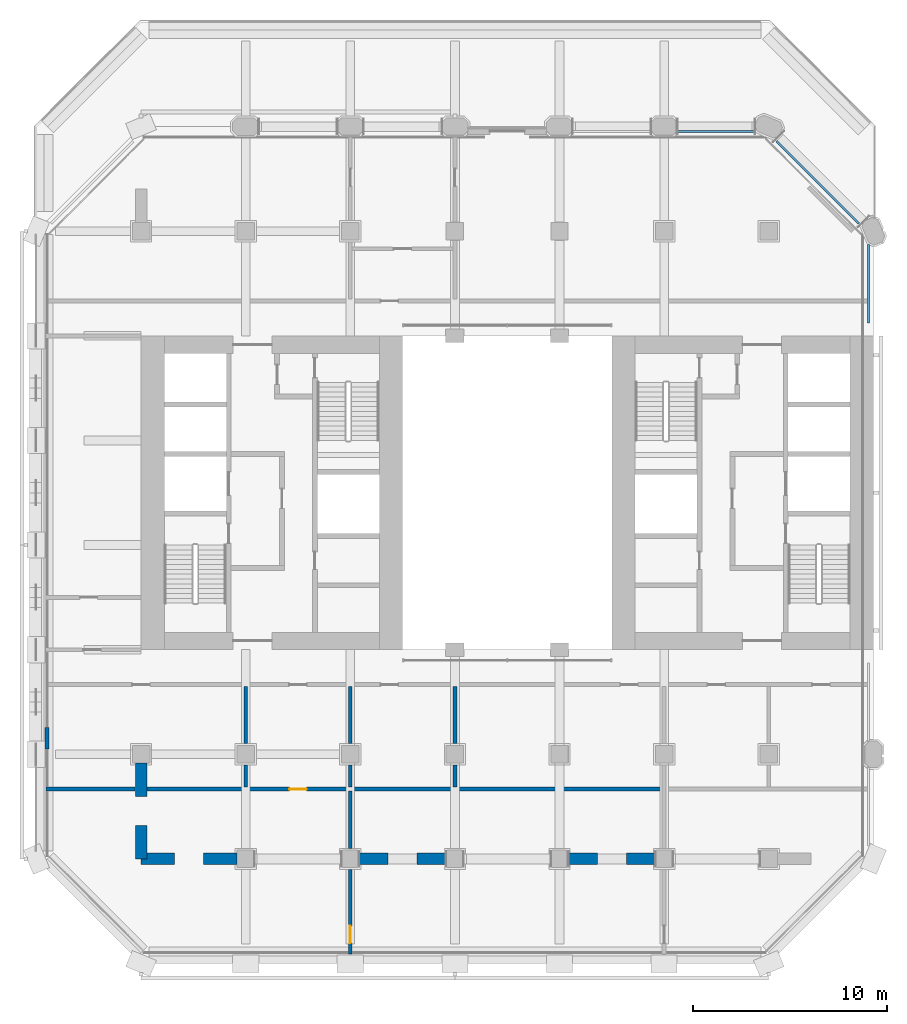
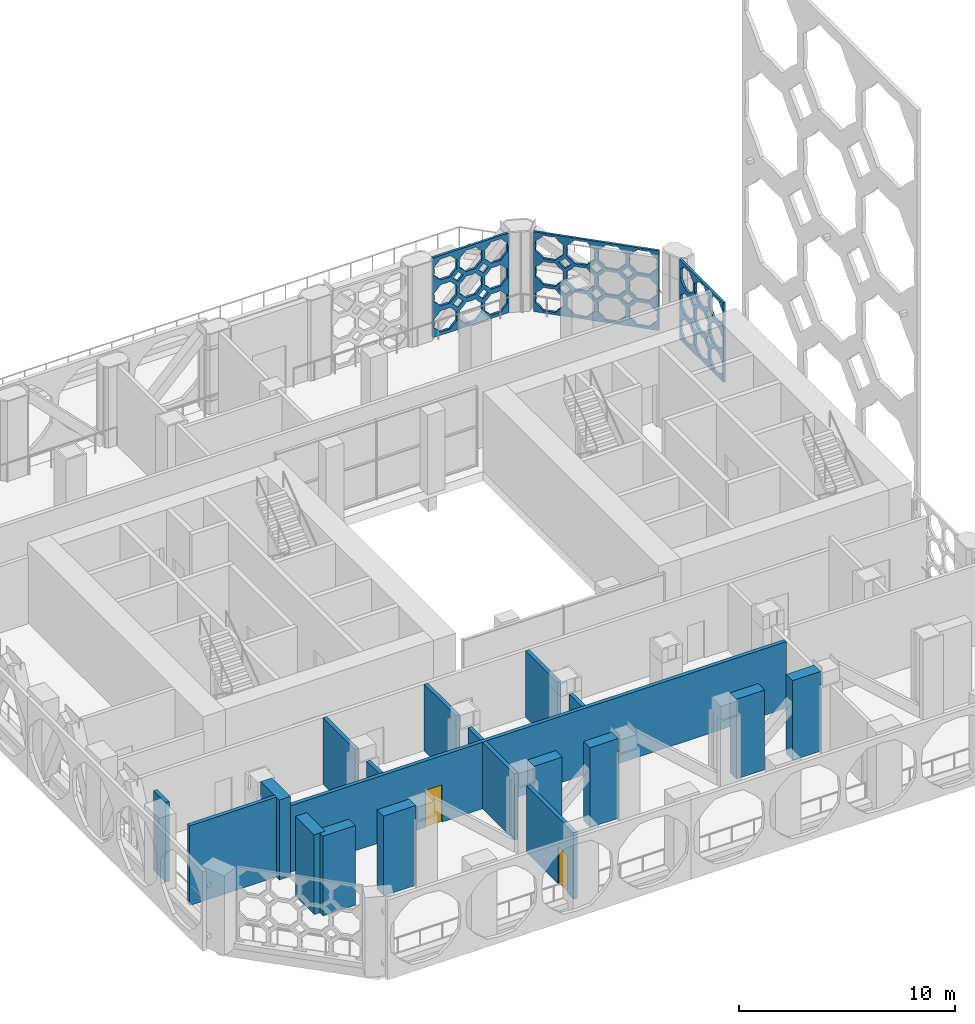
# One storey, part 8 of 17: 19 walls, 3 plates, 2 doors, 2 openings.
"""IFC4 building model written with IfcOpenShell, lengths in metres."""

from ifc_helpers import new_model, si_unit, direction, frame, frame_2d, origin, place, context, subcontext, project, spatial, polyline, rectangle, outline, extrude, material, layer, layer_set, type_object, element, fill, save


model = new_model("IFC4")

# Units and contexts
model_context = context("Model", 3, precision=1e-05, world=origin(), true_north=direction((0.0, 1.0)))
body_context = subcontext(model_context, "Body", "Model", "MODEL_VIEW")
ifc_project = project(units=[si_unit("LENGTHUNIT", "METRE"), si_unit("AREAUNIT", "SQUARE_METRE"), si_unit("VOLUMEUNIT", "CUBIC_METRE"), si_unit("PLANEANGLEUNIT", "RADIAN"), si_unit("MASSUNIT", "GRAM", prefix="KILO")], contexts=[model_context])

# Site, building, storey
site_placement = place(None, origin())
site = spatial("IfcSite", under=ifc_project, at=site_placement, CompositionType="ELEMENT")
building_placement = place(site_placement, origin())
building = spatial("IfcBuilding", under=site, at=building_placement, Name="Tabaq Tower and Sports Hall", CompositionType="ELEMENT")
storey_placement = place(building_placement, frame((0.0, 0.0, 125.800048828125)))
storey = spatial("IfcBuildingStorey", under=building, at=storey_placement, Name="L30", CompositionType="ELEMENT", Elevation=125.800048828125)

# Plates
ifc_material_1 = material(Name="White precast concrete C60/75 pierced screen", Category="concrete")
ifc_layer_1 = layer(ifc_material_1, 0.1201171875)
ifc_layer_set_1 = layer_set([ifc_layer_1], Name="White precast concrete C60/75 screen 120")
plate_type = type_object("IfcPlateType", Name="White precast concrete C60/75 screen 120", PredefinedType="USERDEFINED", material=ifc_layer_set_1)
plate_1_placement = place(storey_placement, frame((42.949951171875, 33.074951171875, 0.0), z_axis=(0.0, 0.0, 1.0), x_axis=(0.0, 1.0, 0.0)))
element("IfcPlate", 1, at=plate_1_placement, inside=storey, type_object=plate_type, Name="Pierced screen L30 E", ObjectType="SCREEN", PredefinedType="USERDEFINED", context=body_context, shape_type="SweptSolid", body=[
    extrude(outline(polyline([(0.0, 0.0), (4.050048828125, 0.0), (4.050048828125, 4.5), (0.0, 4.5), (0.0, 0.0)]), holes=[polyline([(1.28369140625, 1.035400390625), (1.09423828125, 1.20263671875), (0.927001953125, 1.391845703125), (0.675048828125, 1.376220703125), (0.4228515625, 1.391845703125), (0.255859375, 1.20263671875), (0.06640625, 1.035400390625), (0.08203125, 0.783203125), (0.06640625, 0.53125), (0.255859375, 0.364013671875), (0.4228515625, 0.174560546875), (0.675048828125, 0.1904296875), (0.927001953125, 0.174560546875), (1.09423828125, 0.364013671875), (1.28369140625, 0.53125), (1.267822265625, 0.783203125), (1.28369140625, 1.035400390625)]), polyline([(1.28369140625, 2.501953125), (1.09423828125, 2.669189453125), (0.927001953125, 2.858642578125), (0.675048828125, 2.8427734375), (0.4228515625, 2.858642578125), (0.255859375, 2.669189453125), (0.06640625, 2.501953125), (0.08203125, 2.25), (0.06640625, 1.997802734375), (0.255859375, 1.830810546875), (0.4228515625, 1.641357421875), (0.675048828125, 1.656982421875), (0.927001953125, 1.641357421875), (1.09423828125, 1.830810546875), (1.28369140625, 1.997802734375), (1.267822265625, 2.25), (1.28369140625, 2.501953125)]), polyline([(1.28369140625, 3.96875), (1.09423828125, 4.135986328125), (0.927001953125, 4.3251953125), (0.675048828125, 4.3095703125), (0.4228515625, 4.3251953125), (0.255859375, 4.135986328125), (0.06640625, 3.96875), (0.08203125, 3.716552734375), (0.06640625, 3.464599609375), (0.255859375, 3.29736328125), (0.4228515625, 3.10791015625), (0.675048828125, 3.123779296875), (0.927001953125, 3.10791015625), (1.09423828125, 3.29736328125), (1.28369140625, 3.464599609375), (1.267822265625, 3.716552734375), (1.28369140625, 3.96875)]), polyline([(2.633544921875, 1.035400390625), (2.4443359375, 1.20263671875), (2.277099609375, 1.391845703125), (2.02490234375, 1.376220703125), (1.77294921875, 1.391845703125), (1.605712890625, 1.20263671875), (1.416259765625, 1.035400390625), (1.43212890625, 0.783203125), (1.416259765625, 0.53125), (1.605712890625, 0.364013671875), (1.77294921875, 0.174560546875), (2.02490234375, 0.1904296875), (2.277099609375, 0.174560546875), (2.4443359375, 0.364013671875), (2.633544921875, 0.53125), (2.617919921875, 0.783203125), (2.633544921875, 1.035400390625)]), polyline([(2.633544921875, 2.501953125), (2.4443359375, 2.669189453125), (2.277099609375, 2.858642578125), (2.02490234375, 2.8427734375), (1.77294921875, 2.858642578125), (1.605712890625, 2.669189453125), (1.416259765625, 2.501953125), (1.43212890625, 2.25), (1.416259765625, 1.997802734375), (1.605712890625, 1.830810546875), (1.77294921875, 1.641357421875), (2.02490234375, 1.656982421875), (2.277099609375, 1.641357421875), (2.4443359375, 1.830810546875), (2.633544921875, 1.997802734375), (2.617919921875, 2.25), (2.633544921875, 2.501953125)]), polyline([(2.633544921875, 3.96875), (2.4443359375, 4.135986328125), (2.277099609375, 4.3251953125), (2.02490234375, 4.3095703125), (1.77294921875, 4.3251953125), (1.605712890625, 4.135986328125), (1.416259765625, 3.96875), (1.43212890625, 3.716552734375), (1.416259765625, 3.464599609375), (1.605712890625, 3.29736328125), (1.77294921875, 3.10791015625), (2.02490234375, 3.123779296875), (2.277099609375, 3.10791015625), (2.4443359375, 3.29736328125), (2.633544921875, 3.464599609375), (2.617919921875, 3.716552734375), (2.633544921875, 3.96875)]), polyline([(3.983642578125, 1.035400390625), (3.794189453125, 1.20263671875), (3.627197265625, 1.391845703125), (3.375, 1.376220703125), (3.122802734375, 1.391845703125), (2.955810546875, 1.20263671875), (2.766357421875, 1.035400390625), (2.781982421875, 0.783203125), (2.766357421875, 0.53125), (2.955810546875, 0.364013671875), (3.122802734375, 0.174560546875), (3.375, 0.1904296875), (3.627197265625, 0.174560546875), (3.794189453125, 0.364013671875), (3.983642578125, 0.53125), (3.968017578125, 0.783203125), (3.983642578125, 1.035400390625)]), polyline([(3.983642578125, 2.501953125), (3.794189453125, 2.669189453125), (3.627197265625, 2.858642578125), (3.375, 2.8427734375), (3.122802734375, 2.858642578125), (2.955810546875, 2.669189453125), (2.766357421875, 2.501953125), (2.781982421875, 2.25), (2.766357421875, 1.997802734375), (2.955810546875, 1.830810546875), (3.122802734375, 1.641357421875), (3.375, 1.656982421875), (3.627197265625, 1.641357421875), (3.794189453125, 1.830810546875), (3.983642578125, 1.997802734375), (3.968017578125, 2.25), (3.983642578125, 2.501953125)]), polyline([(3.983642578125, 3.96875), (3.794189453125, 4.135986328125), (3.627197265625, 4.3251953125), (3.375, 4.3095703125), (3.122802734375, 4.3251953125), (2.955810546875, 4.135986328125), (2.766357421875, 3.96875), (2.781982421875, 3.716552734375), (2.766357421875, 3.464599609375), (2.955810546875, 3.29736328125), (3.122802734375, 3.10791015625), (3.375, 3.123779296875), (3.627197265625, 3.10791015625), (3.794189453125, 3.29736328125), (3.983642578125, 3.464599609375), (3.968017578125, 3.716552734375), (3.983642578125, 3.96875)]), polyline([(1.6201171875, 1.5166015625), (1.35009765625, 1.78662109375), (1.080078125, 1.5166015625), (1.35009765625, 1.24658203125), (1.6201171875, 1.5166015625)]), polyline([(1.6201171875, 2.9833984375), (1.35009765625, 3.253173828125), (1.080078125, 2.9833984375), (1.35009765625, 2.71337890625), (1.6201171875, 2.9833984375)]), polyline([(2.969970703125, 1.5166015625), (2.699951171875, 1.78662109375), (2.429931640625, 1.5166015625), (2.699951171875, 1.24658203125), (2.969970703125, 1.5166015625)]), polyline([(2.969970703125, 2.9833984375), (2.699951171875, 3.253173828125), (2.429931640625, 2.9833984375), (2.699951171875, 2.71337890625), (2.969970703125, 2.9833984375)])]), frame((0.0, 0.06005859375, 0.0), z_axis=(0.0, -1.0, 0.0), x_axis=(1.0, 0.0, 0.0)), (0.0, 0.0, 1.0), 0.1201171875),
])
plate_2_placement = place(storey_placement, frame((42.43994140625, 38.20654296875, 0.0), z_axis=(0.0, 0.0, 1.0), x_axis=(-0.707106781187, 0.707106781187, 0.0)))
element("IfcPlate", 2, at=plate_2_placement, inside=storey, type_object=plate_type, Name="Pierced screen L30 NE", ObjectType="SCREEN", PredefinedType="USERDEFINED", context=body_context, shape_type="SweptSolid", body=[
    extrude(outline(polyline([(0.0, 0.0), (5.98681640625, 0.0), (5.98681640625, 4.5), (0.0, 4.5), (0.0, 0.0)]), holes=[polyline([(1.40966796875, 1.05712890625), (1.203857421875, 1.23876953125), (1.022216796875, 1.444580078125), (0.748291015625, 1.427490234375), (0.474365234375, 1.444580078125), (0.29296875, 1.23876953125), (0.087158203125, 1.05712890625), (0.104248046875, 0.783203125), (0.087158203125, 0.50927734375), (0.29296875, 0.327880859375), (0.474365234375, 0.1220703125), (0.748291015625, 0.13916015625), (1.022216796875, 0.1220703125), (1.203857421875, 0.327880859375), (1.40966796875, 0.50927734375), (1.392578125, 0.783203125), (1.40966796875, 1.05712890625)]), polyline([(1.40966796875, 2.52392578125), (1.203857421875, 2.705322265625), (1.022216796875, 2.9111328125), (0.748291015625, 2.89404296875), (0.474365234375, 2.9111328125), (0.29296875, 2.705322265625), (0.087158203125, 2.52392578125), (0.104248046875, 2.25), (0.087158203125, 1.97607421875), (0.29296875, 1.79443359375), (0.474365234375, 1.588623046875), (0.748291015625, 1.605712890625), (1.022216796875, 1.588623046875), (1.203857421875, 1.79443359375), (1.40966796875, 1.97607421875), (1.392578125, 2.25), (1.40966796875, 2.52392578125)]), polyline([(1.40966796875, 3.990478515625), (1.203857421875, 4.172119140625), (1.022216796875, 4.3779296875), (0.748291015625, 4.36083984375), (0.474365234375, 4.3779296875), (0.29296875, 4.172119140625), (0.087158203125, 3.990478515625), (0.104248046875, 3.716552734375), (0.087158203125, 3.442626953125), (0.29296875, 3.26123046875), (0.474365234375, 3.055419921875), (0.748291015625, 3.072509765625), (1.022216796875, 3.055419921875), (1.203857421875, 3.26123046875), (1.40966796875, 3.442626953125), (1.392578125, 3.716552734375), (1.40966796875, 3.990478515625)]), polyline([(2.90625, 1.05712890625), (2.700439453125, 1.23876953125), (2.51904296875, 1.444580078125), (2.2451171875, 1.427490234375), (1.97119140625, 1.444580078125), (1.78955078125, 1.23876953125), (1.583740234375, 1.05712890625), (1.600830078125, 0.783203125), (1.583740234375, 0.50927734375), (1.78955078125, 0.327880859375), (1.97119140625, 0.1220703125), (2.2451171875, 0.13916015625), (2.51904296875, 0.1220703125), (2.700439453125, 0.327880859375), (2.90625, 0.50927734375), (2.88916015625, 0.783203125), (2.90625, 1.05712890625)]), polyline([(2.90625, 2.52392578125), (2.700439453125, 2.705322265625), (2.51904296875, 2.9111328125), (2.2451171875, 2.89404296875), (1.97119140625, 2.9111328125), (1.78955078125, 2.705322265625), (1.583740234375, 2.52392578125), (1.600830078125, 2.25), (1.583740234375, 1.97607421875), (1.78955078125, 1.79443359375), (1.97119140625, 1.588623046875), (2.2451171875, 1.605712890625), (2.51904296875, 1.588623046875), (2.700439453125, 1.79443359375), (2.90625, 1.97607421875), (2.88916015625, 2.25), (2.90625, 2.52392578125)]), polyline([(2.90625, 3.990478515625), (2.700439453125, 4.172119140625), (2.51904296875, 4.3779296875), (2.2451171875, 4.36083984375), (1.97119140625, 4.3779296875), (1.78955078125, 4.172119140625), (1.583740234375, 3.990478515625), (1.600830078125, 3.716552734375), (1.583740234375, 3.442626953125), (1.78955078125, 3.26123046875), (1.97119140625, 3.055419921875), (2.2451171875, 3.072509765625), (2.51904296875, 3.055419921875), (2.700439453125, 3.26123046875), (2.90625, 3.442626953125), (2.88916015625, 3.716552734375), (2.90625, 3.990478515625)]), polyline([(4.403076171875, 1.05712890625), (4.197265625, 1.23876953125), (4.015625, 1.444580078125), (3.74169921875, 1.427490234375), (3.4677734375, 1.444580078125), (3.2861328125, 1.23876953125), (3.08056640625, 1.05712890625), (3.09765625, 0.783203125), (3.08056640625, 0.50927734375), (3.2861328125, 0.327880859375), (3.4677734375, 0.1220703125), (3.74169921875, 0.13916015625), (4.015625, 0.1220703125), (4.197265625, 0.327880859375), (4.403076171875, 0.50927734375), (4.385986328125, 0.783203125), (4.403076171875, 1.05712890625)]), polyline([(4.403076171875, 2.52392578125), (4.197265625, 2.705322265625), (4.015625, 2.9111328125), (3.74169921875, 2.89404296875), (3.4677734375, 2.9111328125), (3.2861328125, 2.705322265625), (3.08056640625, 2.52392578125), (3.09765625, 2.25), (3.08056640625, 1.97607421875), (3.2861328125, 1.79443359375), (3.4677734375, 1.588623046875), (3.74169921875, 1.605712890625), (4.015625, 1.588623046875), (4.197265625, 1.79443359375), (4.403076171875, 1.97607421875), (4.385986328125, 2.25), (4.403076171875, 2.52392578125)]), polyline([(4.403076171875, 3.990478515625), (4.197265625, 4.172119140625), (4.015625, 4.3779296875), (3.74169921875, 4.36083984375), (3.4677734375, 4.3779296875), (3.2861328125, 4.172119140625), (3.08056640625, 3.990478515625), (3.09765625, 3.716552734375), (3.08056640625, 3.442626953125), (3.2861328125, 3.26123046875), (3.4677734375, 3.055419921875), (3.74169921875, 3.072509765625), (4.015625, 3.055419921875), (4.197265625, 3.26123046875), (4.403076171875, 3.442626953125), (4.385986328125, 3.716552734375), (4.403076171875, 3.990478515625)]), polyline([(5.899658203125, 1.05712890625), (5.69384765625, 1.23876953125), (5.51220703125, 1.444580078125), (5.238525390625, 1.427490234375), (4.964599609375, 1.444580078125), (4.782958984375, 1.23876953125), (4.5771484375, 1.05712890625), (4.59423828125, 0.783203125), (4.5771484375, 0.50927734375), (4.782958984375, 0.327880859375), (4.964599609375, 0.1220703125), (5.238525390625, 0.13916015625), (5.51220703125, 0.1220703125), (5.69384765625, 0.327880859375), (5.899658203125, 0.50927734375), (5.882568359375, 0.783203125), (5.899658203125, 1.05712890625)]), polyline([(5.899658203125, 2.52392578125), (5.69384765625, 2.705322265625), (5.51220703125, 2.9111328125), (5.238525390625, 2.89404296875), (4.964599609375, 2.9111328125), (4.782958984375, 2.705322265625), (4.5771484375, 2.52392578125), (4.59423828125, 2.25), (4.5771484375, 1.97607421875), (4.782958984375, 1.79443359375), (4.964599609375, 1.588623046875), (5.238525390625, 1.605712890625), (5.51220703125, 1.588623046875), (5.69384765625, 1.79443359375), (5.899658203125, 1.97607421875), (5.882568359375, 2.25), (5.899658203125, 2.52392578125)]), polyline([(5.899658203125, 3.990478515625), (5.69384765625, 4.172119140625), (5.51220703125, 4.3779296875), (5.238525390625, 4.36083984375), (4.964599609375, 4.3779296875), (4.782958984375, 4.172119140625), (4.5771484375, 3.990478515625), (4.59423828125, 3.716552734375), (4.5771484375, 3.442626953125), (4.782958984375, 3.26123046875), (4.964599609375, 3.055419921875), (5.238525390625, 3.072509765625), (5.51220703125, 3.055419921875), (5.69384765625, 3.26123046875), (5.899658203125, 3.442626953125), (5.882568359375, 3.716552734375), (5.899658203125, 3.990478515625)]), polyline([(1.7900390625, 1.5166015625), (1.49658203125, 1.81005859375), (1.203369140625, 1.5166015625), (1.49658203125, 1.223388671875), (1.7900390625, 1.5166015625)]), polyline([(1.7900390625, 2.9833984375), (1.49658203125, 3.276611328125), (1.203369140625, 2.9833984375), (1.49658203125, 2.68994140625), (1.7900390625, 2.9833984375)]), polyline([(3.28662109375, 1.5166015625), (2.993408203125, 1.81005859375), (2.699951171875, 1.5166015625), (2.993408203125, 1.223388671875), (3.28662109375, 1.5166015625)]), polyline([(3.28662109375, 2.9833984375), (2.993408203125, 3.276611328125), (2.699951171875, 2.9833984375), (2.993408203125, 2.68994140625), (3.28662109375, 2.9833984375)]), polyline([(4.783447265625, 1.5166015625), (4.489990234375, 1.81005859375), (4.19677734375, 1.5166015625), (4.489990234375, 1.223388671875), (4.783447265625, 1.5166015625)]), polyline([(4.783447265625, 2.9833984375), (4.489990234375, 3.276611328125), (4.19677734375, 2.9833984375), (4.489990234375, 2.68994140625), (4.783447265625, 2.9833984375)])]), frame((0.0, 0.06005859375, 0.0), z_axis=(0.0, -1.0, 0.0), x_axis=(1.0, 0.0, 0.0)), (0.0, 0.0, 1.0), 0.1201171875),
])
plate_3_placement = place(storey_placement, frame((37.125, 42.949951171875, 0.0), z_axis=(0.0, 0.0, 1.0), x_axis=(-1.0, 0.0, 0.0)))
element("IfcPlate", 3, at=plate_3_placement, inside=storey, type_object=plate_type, Name="Pierced screen L30 N", ObjectType="SCREEN", PredefinedType="USERDEFINED", context=body_context, shape_type="SweptSolid", body=[
    extrude(outline(polyline([(0.0, 0.0), (4.050048828125, 0.0), (4.050048828125, 4.5), (0.0, 4.5), (0.0, 0.0)]), holes=[polyline([(1.28369140625, 1.035400390625), (1.09423828125, 1.20263671875), (0.927001953125, 1.391845703125), (0.675048828125, 1.376220703125), (0.4228515625, 1.391845703125), (0.255859375, 1.20263671875), (0.06640625, 1.035400390625), (0.08203125, 0.783203125), (0.06640625, 0.53125), (0.255859375, 0.364013671875), (0.4228515625, 0.174560546875), (0.675048828125, 0.1904296875), (0.927001953125, 0.174560546875), (1.09423828125, 0.364013671875), (1.28369140625, 0.53125), (1.267822265625, 0.783203125), (1.28369140625, 1.035400390625)]), polyline([(1.28369140625, 2.501953125), (1.09423828125, 2.669189453125), (0.927001953125, 2.858642578125), (0.675048828125, 2.8427734375), (0.4228515625, 2.858642578125), (0.255859375, 2.669189453125), (0.06640625, 2.501953125), (0.08203125, 2.25), (0.06640625, 1.997802734375), (0.255859375, 1.830810546875), (0.4228515625, 1.641357421875), (0.675048828125, 1.656982421875), (0.927001953125, 1.641357421875), (1.09423828125, 1.830810546875), (1.28369140625, 1.997802734375), (1.267822265625, 2.25), (1.28369140625, 2.501953125)]), polyline([(1.28369140625, 3.96875), (1.09423828125, 4.135986328125), (0.927001953125, 4.3251953125), (0.675048828125, 4.3095703125), (0.4228515625, 4.3251953125), (0.255859375, 4.135986328125), (0.06640625, 3.96875), (0.08203125, 3.716552734375), (0.06640625, 3.464599609375), (0.255859375, 3.29736328125), (0.4228515625, 3.10791015625), (0.675048828125, 3.123779296875), (0.927001953125, 3.10791015625), (1.09423828125, 3.29736328125), (1.28369140625, 3.464599609375), (1.267822265625, 3.716552734375), (1.28369140625, 3.96875)]), polyline([(2.633544921875, 1.035400390625), (2.4443359375, 1.20263671875), (2.277099609375, 1.391845703125), (2.02490234375, 1.376220703125), (1.77294921875, 1.391845703125), (1.605712890625, 1.20263671875), (1.416259765625, 1.035400390625), (1.43212890625, 0.783203125), (1.416259765625, 0.53125), (1.605712890625, 0.364013671875), (1.77294921875, 0.174560546875), (2.02490234375, 0.1904296875), (2.277099609375, 0.174560546875), (2.4443359375, 0.364013671875), (2.633544921875, 0.53125), (2.617919921875, 0.783203125), (2.633544921875, 1.035400390625)]), polyline([(2.633544921875, 2.501953125), (2.4443359375, 2.669189453125), (2.277099609375, 2.858642578125), (2.02490234375, 2.8427734375), (1.77294921875, 2.858642578125), (1.605712890625, 2.669189453125), (1.416259765625, 2.501953125), (1.43212890625, 2.25), (1.416259765625, 1.997802734375), (1.605712890625, 1.830810546875), (1.77294921875, 1.641357421875), (2.02490234375, 1.656982421875), (2.277099609375, 1.641357421875), (2.4443359375, 1.830810546875), (2.633544921875, 1.997802734375), (2.617919921875, 2.25), (2.633544921875, 2.501953125)]), polyline([(2.633544921875, 3.96875), (2.4443359375, 4.135986328125), (2.277099609375, 4.3251953125), (2.02490234375, 4.3095703125), (1.77294921875, 4.3251953125), (1.605712890625, 4.135986328125), (1.416259765625, 3.96875), (1.43212890625, 3.716552734375), (1.416259765625, 3.464599609375), (1.605712890625, 3.29736328125), (1.77294921875, 3.10791015625), (2.02490234375, 3.123779296875), (2.277099609375, 3.10791015625), (2.4443359375, 3.29736328125), (2.633544921875, 3.464599609375), (2.617919921875, 3.716552734375), (2.633544921875, 3.96875)]), polyline([(3.983642578125, 1.035400390625), (3.794189453125, 1.20263671875), (3.627197265625, 1.391845703125), (3.375, 1.376220703125), (3.122802734375, 1.391845703125), (2.955810546875, 1.20263671875), (2.766357421875, 1.035400390625), (2.781982421875, 0.783203125), (2.766357421875, 0.53125), (2.955810546875, 0.364013671875), (3.122802734375, 0.174560546875), (3.375, 0.1904296875), (3.627197265625, 0.174560546875), (3.794189453125, 0.364013671875), (3.983642578125, 0.53125), (3.968017578125, 0.783203125), (3.983642578125, 1.035400390625)]), polyline([(3.983642578125, 2.501953125), (3.794189453125, 2.669189453125), (3.627197265625, 2.858642578125), (3.375, 2.8427734375), (3.122802734375, 2.858642578125), (2.955810546875, 2.669189453125), (2.766357421875, 2.501953125), (2.781982421875, 2.25), (2.766357421875, 1.997802734375), (2.955810546875, 1.830810546875), (3.122802734375, 1.641357421875), (3.375, 1.656982421875), (3.627197265625, 1.641357421875), (3.794189453125, 1.830810546875), (3.983642578125, 1.997802734375), (3.968017578125, 2.25), (3.983642578125, 2.501953125)]), polyline([(3.983642578125, 3.96875), (3.794189453125, 4.135986328125), (3.627197265625, 4.3251953125), (3.375, 4.3095703125), (3.122802734375, 4.3251953125), (2.955810546875, 4.135986328125), (2.766357421875, 3.96875), (2.781982421875, 3.716552734375), (2.766357421875, 3.464599609375), (2.955810546875, 3.29736328125), (3.122802734375, 3.10791015625), (3.375, 3.123779296875), (3.627197265625, 3.10791015625), (3.794189453125, 3.29736328125), (3.983642578125, 3.464599609375), (3.968017578125, 3.716552734375), (3.983642578125, 3.96875)]), polyline([(1.6201171875, 1.5166015625), (1.35009765625, 1.78662109375), (1.080078125, 1.5166015625), (1.35009765625, 1.24658203125), (1.6201171875, 1.5166015625)]), polyline([(1.6201171875, 2.9833984375), (1.35009765625, 3.253173828125), (1.080078125, 2.9833984375), (1.35009765625, 2.71337890625), (1.6201171875, 2.9833984375)]), polyline([(2.969970703125, 1.5166015625), (2.699951171875, 1.78662109375), (2.429931640625, 1.5166015625), (2.699951171875, 1.24658203125), (2.969970703125, 1.5166015625)]), polyline([(2.969970703125, 2.9833984375), (2.699951171875, 3.253173828125), (2.429931640625, 2.9833984375), (2.699951171875, 2.71337890625), (2.969970703125, 2.9833984375)])]), frame((0.0, 0.06005859375, 0.0), z_axis=(0.0, -1.0, 0.0), x_axis=(1.0, 0.0, 0.0)), (0.0, 0.0, 1.0), 0.1201171875),
])

# Wall, opening, door
ifc_material_2 = material(Name="Blockwork", Category="masonry")
ifc_layer_2 = layer(ifc_material_2, 0.199951171875)
ifc_layer_set_2 = layer_set([ifc_layer_2], Name="Fire compartment wall 200 Blockwork")
wall_type_1 = type_object("IfcWallType", Name="Fire compartment wall 200 Blockwork", PredefinedType="PARTITIONING", material=ifc_layer_set_2)
wall_1_placement = place(storey_placement, frame((32.300048828125, 9.0, 0.0), z_axis=(0.0, 0.0, 1.0), x_axis=(-1.0, 0.0, 0.0)))
wall_1 = element("IfcWall", 4, at=wall_1_placement, inside=storey, type_object=wall_type_1, Name="Compartment wall L30", PredefinedType="PARTITIONING", context=body_context, shape_type="SweptSolid", body=[
    extrude(rectangle(XDim=26.59912109375, YDim=0.199951171875, at=frame_2d((13.299560546875, 0.0))), origin(), (0.0, 0.0, 1.0), 3.75),
])
opening_1_placement = place(wall_1_placement, frame((18.35009765625, 0.0, 0.0)))
opening_1 = element("IfcOpeningElement", 5, at=opening_1_placement, cuts=wall_1, Name="Opening L30-015", PredefinedType="OPENING", context=body_context, shape_type="SweptSolid", body=[
    extrude(rectangle(XDim=0.89990234375, YDim=2.10009765625, at=frame_2d((0.449951171875, 1.050048828125))), frame((0.0, 0.10009765625, 0.0), z_axis=(0.0, -1.0, 0.0), x_axis=(1.0, 0.0, 0.0)), (0.0, 0.0, 1.0), 0.199951171875),
])
ifc_material_3 = material(Name="Steel fire door", Category="steel")
door_type_1 = type_object("IfcDoorType", Name="Refuge holding area door 900 right hand", OperationType="SINGLE_SWING_RIGHT", PredefinedType="DOOR", material=ifc_material_3)
door_1_placement = place(opening_1_placement, origin())
door_1 = element("IfcDoor", 6, at=door_1_placement, inside=storey, type_object=door_type_1, Name="Refuge holding area door L30-015", OperationType="SINGLE_SWING_RIGHT", OverallHeight=2.10009765625, OverallWidth=0.89990234375, PredefinedType="DOOR", context=body_context, shape_type="SweptSolid", body=[
    extrude(rectangle(XDim=0.89990234375, YDim=2.10009765625, at=frame_2d((0.449951171875, 1.050048828125))), frame((0.0, 0.02490234375, 0.0), z_axis=(0.0, -1.0, 0.0), x_axis=(1.0, 0.0, 0.0)), (0.0, 0.0, 1.0), 0.050048828125),
])
fill(opening_1, door_1)

# Wall
wall_2_placement = place(storey_placement, frame((5.09912109375, 9.0, 0.0), z_axis=(0.0, 0.0, 1.0), x_axis=(-1.0, 0.0, 0.0)))
element("IfcWall", 7, at=wall_2_placement, inside=storey, type_object=wall_type_1, Name="Compartment wall L30", PredefinedType="PARTITIONING", context=body_context, shape_type="SweptSolid", body=[
    extrude(rectangle(XDim=4.619140625, YDim=0.199951171875, at=frame_2d((2.3095703125, 0.0))), origin(), (0.0, 0.0, 1.0), 4.5),
])

# Wall, opening, door
wall_3_placement = place(storey_placement, frame((16.199951171875, 0.47998046875, 0.0), z_axis=(0.0, 0.0, 1.0), x_axis=(0.0, 1.0, 0.0)))
wall_3 = element("IfcWall", 8, at=wall_3_placement, inside=storey, type_object=wall_type_1, Name="Compartment wall L30", PredefinedType="PARTITIONING", context=body_context, shape_type="SweptSolid", body=[
    extrude(rectangle(XDim=4.369384765625, YDim=0.199951171875, at=frame_2d((2.1845703125, 0.0))), origin(), (0.0, 0.0, 1.0), 3.75),
])
opening_2_placement = place(wall_3_placement, frame((0.570068359375, 0.0, 0.0)))
opening_2 = element("IfcOpeningElement", 9, at=opening_2_placement, cuts=wall_3, Name="Opening L30-014", PredefinedType="OPENING", context=body_context, shape_type="SweptSolid", body=[
    extrude(rectangle(XDim=0.89990234375, YDim=2.10009765625, at=frame_2d((0.449951171875, 1.050048828125))), frame((0.0, 0.10009765625, 0.0), z_axis=(0.0, -1.0, 0.0), x_axis=(1.0, 0.0, 0.0)), (0.0, 0.0, 1.0), 0.199951171875),
])
ifc_material_4 = material(Name="Steel fire door", Category="steel")
door_type_2 = type_object("IfcDoorType", Name="Refuge holding area door 900 left hand", OperationType="SINGLE_SWING_LEFT", PredefinedType="DOOR", material=ifc_material_4)
door_2_placement = place(opening_2_placement, origin())
door_2 = element("IfcDoor", 10, at=door_2_placement, inside=storey, type_object=door_type_2, Name="Refuge holding area door L30-014", OperationType="SINGLE_SWING_LEFT", OverallHeight=2.10009765625, OverallWidth=0.89990234375, PredefinedType="DOOR", context=body_context, shape_type="SweptSolid", body=[
    extrude(rectangle(XDim=0.89990234375, YDim=2.10009765625, at=frame_2d((0.449951171875, 1.050048828125))), frame((0.0, 0.02490234375, 0.0), z_axis=(0.0, -1.0, 0.0), x_axis=(1.0, 0.0, 0.0)), (0.0, 0.0, 1.0), 0.050048828125),
])
fill(opening_2, door_2)

# Walls
wall_4_placement = place(storey_placement, frame((16.199951171875, 5.95068359375, 0.0), z_axis=(0.0, 0.0, 1.0), x_axis=(0.0, 1.0, 0.0)))
element("IfcWall", 11, at=wall_4_placement, inside=storey, type_object=wall_type_1, Name="Compartment wall L30", PredefinedType="PARTITIONING", context=body_context, shape_type="SweptSolid", body=[
    extrude(rectangle(XDim=2.94921875, YDim=0.199951171875, at=frame_2d((1.474609375, 0.0))), origin(), (0.0, 0.0, 1.0), 3.75),
])
wall_5_placement = place(storey_placement, frame((10.800048828125, 14.300048828125, 0.0), z_axis=(0.0, 0.0, 1.0), x_axis=(0.0, -1.0, 0.0)))
element("IfcWall", 12, at=wall_5_placement, inside=storey, type_object=wall_type_1, Name="Compartment wall L30", PredefinedType="PARTITIONING", context=body_context, shape_type="SweptSolid", body=[
    extrude(rectangle(XDim=2.949462890625, YDim=0.199951171875, at=frame_2d((1.474609375, 0.0))), origin(), (0.0, 0.0, 1.0), 3.75),
])
wall_6_placement = place(storey_placement, frame((10.800048828125, 10.249267578125, 0.0), z_axis=(0.0, 0.0, 1.0), x_axis=(0.0, -1.0, 0.0)))
element("IfcWall", 13, at=wall_6_placement, inside=storey, type_object=wall_type_1, Name="Compartment wall L30", PredefinedType="PARTITIONING", context=body_context, shape_type="SweptSolid", body=[
    extrude(rectangle(XDim=1.149169921875, YDim=0.199951171875, at=frame_2d((0.57470703125, 0.0))), origin(), (0.0, 0.0, 1.0), 3.75),
])
wall_7_placement = place(storey_placement, frame((0.550048828125, 11.082763671875, 0.0), z_axis=(0.0, 0.0, 1.0), x_axis=(0.0, 1.0, 0.0)))
element("IfcWall", 14, at=wall_7_placement, inside=storey, type_object=wall_type_1, Name="Compartment wall L30", PredefinedType="PARTITIONING", context=body_context, shape_type="SweptSolid", body=[
    extrude(rectangle(XDim=1.114013671875, YDim=0.199951171875, at=frame_2d((0.55712890625, 0.0))), origin(), (0.0, 0.0, 1.0), 4.5),
])
wall_8_placement = place(storey_placement, frame((21.60009765625, 9.10009765625, 0.0), z_axis=(0.0, 0.0, 1.0), x_axis=(0.0, 1.0, 0.0)))
element("IfcWall", 15, at=wall_8_placement, inside=storey, type_object=wall_type_1, Name="Compartment wall L30", PredefinedType="PARTITIONING", context=body_context, shape_type="SweptSolid", body=[
    extrude(rectangle(XDim=1.149169921875, YDim=0.199951171875, at=frame_2d((0.57470703125, 0.0))), origin(), (0.0, 0.0, 1.0), 3.75),
])
for number, where, z_axis, x_axis, name in (
    (16, (21.60009765625, 11.3505859375, 0.0), (0.0, 0.0, 1.0), (0.0, 1.0, 0.0), "Compartment wall L30"),
    (17, (16.199951171875, 14.300048828125, 0.0), (0.0, 0.0, 1.0), (0.0, -1.0, 0.0), "Compartment wall L30"),
):
    element("IfcWall", number, at=place(storey_placement, frame(where, z_axis=z_axis, x_axis=x_axis)), inside=storey, type_object=wall_type_1, Name=name, PredefinedType="PARTITIONING", context=body_context, shape_type="SweptSolid", body=[
        extrude(rectangle(XDim=2.949462890625, YDim=0.199951171875, at=frame_2d((1.474609375, 0.0))), origin(), (0.0, 0.0, 1.0), 3.75),
    ])
wall_9_placement = place(storey_placement, frame((16.199951171875, 10.249267578125, 0.0), z_axis=(0.0, 0.0, 1.0), x_axis=(0.0, -1.0, 0.0)))
element("IfcWall", 18, at=wall_9_placement, inside=storey, type_object=wall_type_1, Name="Compartment wall L30", PredefinedType="PARTITIONING", context=body_context, shape_type="SweptSolid", body=[
    extrude(rectangle(XDim=1.149169921875, YDim=0.199951171875, at=frame_2d((0.57470703125, 0.0))), origin(), (0.0, 0.0, 1.0), 3.75),
])
ifc_material_5 = material(Name="Concrete C50/60", Category="concrete")
ifc_layer_3 = layer(ifc_material_5, 0.60009765625)
ifc_layer_set_3 = layer_set([ifc_layer_3], Name="RC TRANSFER WALL 600 C50/60")
wall_type_2 = type_object("IfcWallType", Name="RC TRANSFER WALL 600 C50/60", PredefinedType="SHEAR", material=ifc_layer_set_3)
for number, where, z_axis, x_axis, name in (
    (19, (5.39990234375, 5.39990234375, 0.0), (0.0, 0.0, 1.0), (0.0, 1.0, 0.0), "Transfer Wall L30 West 1"),
    (20, (5.39990234375, 8.625, 0.0), (0.0, 0.0, 1.0), (0.0, 1.0, 0.0), "Transfer Wall L30 West 2"),
    (21, (5.39990234375, 5.39990234375, 0.0), (0.0, 0.0, 1.0), (1.0, 0.0, 0.0), "Transfer Wall L30 South 5"),
    (22, (8.625, 5.39990234375, 0.0), (0.0, 0.0, 1.0), (1.0, 0.0, 0.0), "Transfer Wall L30 South 6"),
):
    element("IfcWall", number, at=place(storey_placement, frame(where, z_axis=z_axis, x_axis=x_axis)), inside=storey, type_object=wall_type_2, Name=name, PredefinedType="SHEAR", context=body_context, shape_type="SweptSolid", body=[
        extrude(rectangle(XDim=1.72509765625, YDim=0.60009765625, at=frame_2d((0.862548828125, 0.0))), origin(), (0.0, 0.0, 1.0), 4.5),
    ])
for number, where, z_axis, x_axis, name in (
    (23, (16.64990234375, 5.39990234375, 0.0), (0.0, 0.0, 1.0), (1.0, 0.0, 0.0), "Transfer Wall L30 South 7"),
    (24, (19.64990234375, 5.39990234375, 0.0), (0.0, 0.0, 1.0), (1.0, 0.0, 0.0), "Transfer Wall L30 South 8"),
    (25, (27.449951171875, 5.39990234375, 0.0), (0.0, 0.0, 1.0), (1.0, 0.0, 0.0), "Transfer Wall L30 South 9"),
    (26, (30.449951171875, 5.39990234375, 0.0), (0.0, 0.0, 1.0), (1.0, 0.0, 0.0), "Transfer Wall L30 South 10"),
):
    element("IfcWall", number, at=place(storey_placement, frame(where, z_axis=z_axis, x_axis=x_axis)), inside=storey, type_object=wall_type_2, Name=name, PredefinedType="SHEAR", context=body_context, shape_type="SweptSolid", body=[
        extrude(rectangle(XDim=1.5, YDim=0.60009765625, at=frame_2d((0.75, 0.0))), origin(), (0.0, 0.0, 1.0), 4.5),
    ])

save(model, "model.ifc")
